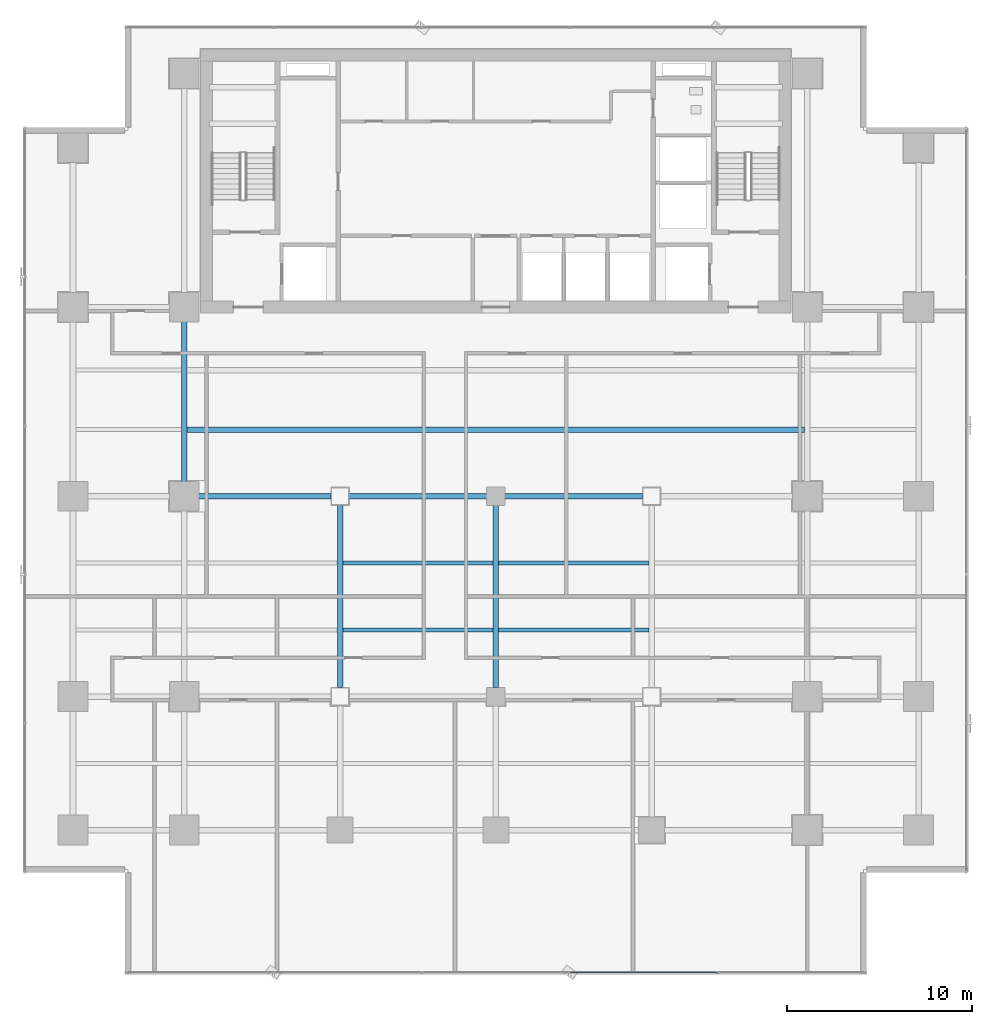
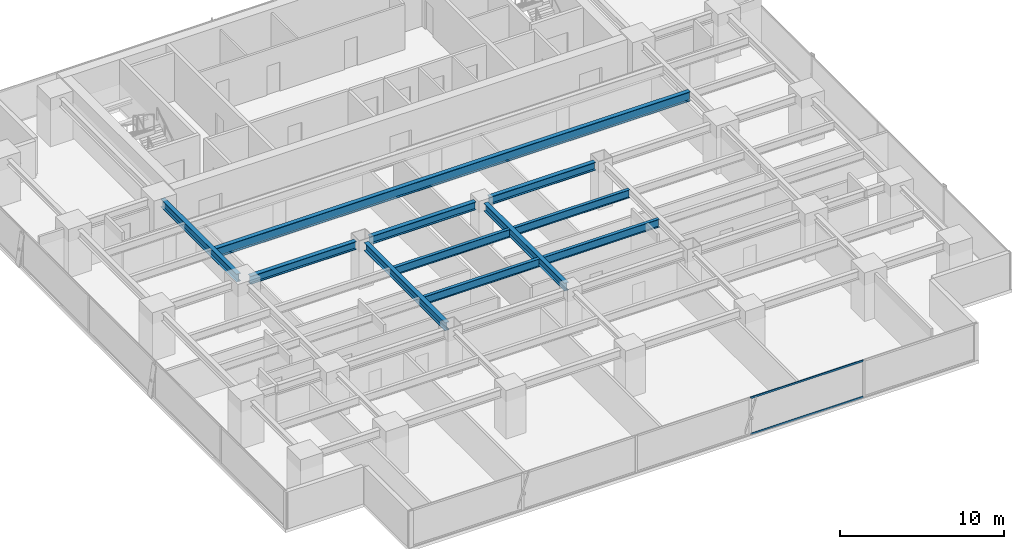
# One storey, part 11 of 34: 11 beams, 2 members, 1 element without a shape of its own.
"""IFC4 building model written with IfcOpenShell, lengths in metres."""

from ifc_helpers import new_model, si_unit, direction, frame, origin, origin_2d, place, context, subcontext, project, spatial, hollow_rectangle, i_section, extrude, source, transform, mapped, material, layer, layer_set, material_profile, profile_set, type_object, element, aggregate, save


model = new_model("IFC4")

# Units and contexts
model_context = context("Model", 3, precision=1e-05, world=origin(), true_north=direction((0.0, 1.0)))
body_context = subcontext(model_context, "Body", "Model", "MODEL_VIEW")
ifc_project = project(units=[si_unit("LENGTHUNIT", "METRE"), si_unit("AREAUNIT", "SQUARE_METRE"), si_unit("VOLUMEUNIT", "CUBIC_METRE"), si_unit("PLANEANGLEUNIT", "RADIAN"), si_unit("MASSUNIT", "GRAM", prefix="KILO")], contexts=[model_context])

# Site, building, storey
site_placement = place(None, origin())
site = spatial("IfcSite", under=ifc_project, at=site_placement, CompositionType="ELEMENT")
building_placement = place(site_placement, origin())
building = spatial("IfcBuilding", under=site, at=building_placement, Name="Sumidabori Civic Tower", CompositionType="ELEMENT")
storey_placement = place(building_placement, frame((0.0, 0.0, 106.39990234375)))
storey = spatial("IfcBuildingStorey", under=building, at=storey_placement, Name="L27", CompositionType="ELEMENT", Elevation=106.39990234375)

# Beams
ifc_material_1 = material(Name="Steel SN490", Category="steel")
ifc_material_profile_1 = material_profile(ifc_material_1, i_section(OverallWidth=0.300048828125, OverallDepth=0.60009765625, WebThickness=0.015380859375, FlangeThickness=0.030029296875, at=origin_2d()), Name="HE 600 B")
ifc_profile_set_1 = profile_set([ifc_material_profile_1], Name="Steel SN490")
beam_type_1 = type_object("IfcBeamType", Name="BM-GIRD-600", PredefinedType="BEAM", material=ifc_profile_set_1)
shared_shape_1 = source(origin(), body_context, "Body", "SweptSolid", [
    extrude(i_section(OverallWidth=0.300048828125, OverallDepth=0.60009765625, WebThickness=0.015380859375, FlangeThickness=0.030029296875, at=origin_2d()), origin(), (0.0, 0.0, 1.0), 7.440185546875),
])
beam_1_placement = place(storey_placement, frame((-16.320068359375, 0.0, 3.06005859375), z_axis=(1.0, 0.0, 0.0), x_axis=(0.0, 1.0, 0.0)))
element("IfcBeam", 1, at=beam_1_placement, inside=storey, type_object=beam_type_1, Name="Primary Girder L27 GX-14", PredefinedType="BEAM", context=body_context, shape_type="MappedRepresentation", body=[
    mapped(shared_shape_1, transform((0.0, 0.0, 0.0), x_axis=(1.0, 0.0, 0.0), y_axis=(0.0, 1.0, 0.0), z_axis=(0.0, 0.0, 1.0), scale=1.0)),
])
shared_shape_2 = source(origin(), body_context, "Body", "SweptSolid", [
    extrude(i_section(OverallWidth=0.300048828125, OverallDepth=0.60009765625, WebThickness=0.015380859375, FlangeThickness=0.030029296875, at=origin_2d()), origin(), (0.0, 0.0, 1.0), 7.43994140625),
])
for number, where, z_axis, x_axis, name in (
    (2, (-7.919921875, 0.0, 3.06005859375), (1.0, 0.0, 0.0), (0.0, 1.0, 0.0), "Primary Girder L27 GX-15"),
    (3, (0.47998046875, 0.0, 3.06005859375), (1.0, 0.0, 0.0), (0.0, 1.0, 0.0), "Primary Girder L27 GX-16"),
):
    element("IfcBeam", number, at=place(storey_placement, frame(where, z_axis=z_axis, x_axis=x_axis)), inside=storey, type_object=beam_type_1, Name=name, PredefinedType="BEAM", context=body_context, shape_type="MappedRepresentation", body=[
        mapped(shared_shape_2, transform((0.0, 0.0, 0.0), x_axis=(1.0, 0.0, 0.0), y_axis=(0.0, 1.0, 0.0), z_axis=(0.0, 0.0, 1.0), scale=1.0)),
    ])
shared_shape_3 = source(origin(), body_context, "Body", "SweptSolid", [
    extrude(i_section(OverallWidth=0.300048828125, OverallDepth=0.60009765625, WebThickness=0.015380859375, FlangeThickness=0.030029296875, at=origin_2d()), origin(), (0.0, 0.0, 1.0), 9.840087890625),
])
for number, where, z_axis, x_axis, name in (
    (4, (-8.39990234375, -10.320068359375, 3.06005859375), (0.0, 1.0, 0.0), (-1.0, 0.0, 0.0), "Primary Girder L27 GY-30"),
    (5, (0.0, -10.320068359375, 3.06005859375), (0.0, 1.0, 0.0), (-1.0, 0.0, 0.0), "Primary Girder L27 GY-32"),
):
    element("IfcBeam", number, at=place(storey_placement, frame(where, z_axis=z_axis, x_axis=x_axis)), inside=storey, type_object=beam_type_1, Name=name, PredefinedType="BEAM", context=body_context, shape_type="MappedRepresentation", body=[
        mapped(shared_shape_3, transform((0.0, 0.0, 0.0), x_axis=(1.0, 0.0, 0.0), y_axis=(0.0, 1.0, 0.0), z_axis=(0.0, 0.0, 1.0), scale=1.0)),
    ])
shared_shape_4 = source(origin(), body_context, "Body", "SweptSolid", [
    extrude(i_section(OverallWidth=0.300048828125, OverallDepth=0.60009765625, WebThickness=0.015380859375, FlangeThickness=0.030029296875, at=origin_2d()), origin(), (0.0, 0.0, 1.0), 9.239990234375),
])
beam_2_placement = place(storey_placement, frame((-16.800048828125, 0.47998046875, 3.06005859375), z_axis=(0.0, 1.0, 0.0), x_axis=(-1.0, 0.0, 0.0)))
element("IfcBeam", 6, at=beam_2_placement, inside=storey, type_object=beam_type_1, Name="Primary Girder L27 GY-27", PredefinedType="BEAM", context=body_context, shape_type="MappedRepresentation", body=[
    mapped(shared_shape_4, transform((0.0, 0.0, 0.0), x_axis=(1.0, 0.0, 0.0), y_axis=(0.0, 1.0, 0.0), z_axis=(0.0, 0.0, 1.0), scale=1.0)),
])
ifc_material_profile_2 = material_profile(ifc_material_1, i_section(OverallWidth=0.300048828125, OverallDepth=0.699951171875, WebThickness=0.01708984375, FlangeThickness=0.031982421875, at=origin_2d()), Name="HE 700 B")
ifc_profile_set_2 = profile_set([ifc_material_profile_2], Name="Steel SN490")
beam_type_2 = type_object("IfcBeamType", Name="BM-GIRD-700", PredefinedType="BEAM", material=ifc_profile_set_2)
shared_shape_5 = source(origin(), body_context, "Body", "SweptSolid", [
    extrude(i_section(OverallWidth=0.300048828125, OverallDepth=0.699951171875, WebThickness=0.01708984375, FlangeThickness=0.031982421875, at=origin_2d()), origin(), (0.0, 0.0, 1.0), 33.2998046875),
])
beam_3_placement = place(storey_placement, frame((-16.64990234375, 3.60009765625, 3.010009765625), z_axis=(1.0, 0.0, 0.0), x_axis=(0.0, 1.0, 0.0)))
element("IfcBeam", 7, at=beam_3_placement, inside=storey, type_object=beam_type_2, Name="North Bay Floor Beam L27 JSTN-53", PredefinedType="BEAM", context=body_context, shape_type="MappedRepresentation", body=[
    mapped(shared_shape_5, transform((0.0, 0.0, 0.0), x_axis=(1.0, 0.0, 0.0), y_axis=(0.0, 1.0, 0.0), z_axis=(0.0, 0.0, 1.0), scale=1.0)),
])
ifc_material_profile_3 = material_profile(ifc_material_1, i_section(OverallWidth=0.219970703125, OverallDepth=0.60009765625, WebThickness=0.011962890625, FlangeThickness=0.01904296875, at=origin_2d()), Name="IPE 600")
ifc_profile_set_3 = profile_set([ifc_material_profile_3], Name="Steel SN490")
beam_type_3 = type_object("IfcBeamType", Name="BM-JST-600", PredefinedType="JOIST", material=ifc_profile_set_3)
shared_shape_6 = source(origin(), body_context, "Body", "SweptSolid", [
    extrude(i_section(OverallWidth=0.219970703125, OverallDepth=0.60009765625, WebThickness=0.011962890625, FlangeThickness=0.01904296875, at=origin_2d()), origin(), (0.0, 0.0, 1.0), 8.10009765625),
])
for number, where, z_axis, x_axis, name in (
    (8, (-8.25, -7.199951171875, 3.06005859375), (1.0, 0.0, 0.0), (0.0, 1.0, 0.0), "South Bay Floor Joist L27 JSTS-60"),
    (9, (0.14990234375, -7.199951171875, 3.06005859375), (1.0, 0.0, 0.0), (0.0, 1.0, 0.0), "South Bay Floor Joist L27 JSTS-61"),
    (10, (-8.25, -3.60009765625, 3.06005859375), (1.0, 0.0, 0.0), (0.0, 1.0, 0.0), "South Bay Floor Joist L27 JSTS-64"),
    (11, (0.14990234375, -3.60009765625, 3.06005859375), (1.0, 0.0, 0.0), (0.0, 1.0, 0.0), "South Bay Floor Joist L27 JSTS-65"),
):
    element("IfcBeam", number, at=place(storey_placement, frame(where, z_axis=z_axis, x_axis=x_axis)), inside=storey, type_object=beam_type_3, Name=name, PredefinedType="JOIST", context=body_context, shape_type="MappedRepresentation", body=[
        mapped(shared_shape_6, transform((0.0, 0.0, 0.0), x_axis=(1.0, 0.0, 0.0), y_axis=(0.0, 1.0, 0.0), z_axis=(0.0, 0.0, 1.0), scale=1.0)),
    ])

# Curtain wall, members
ifc_material_2 = material(Name="Anodised Bronze Aluminium AW-6063-T6", Category="aluminium")
ifc_layer = layer(ifc_material_2, 0.179931640625, Name="Anodised Bronze Aluminium AW-6063-T6")
ifc_layer_set = layer_set([ifc_layer], Name="Anodised Bronze Aluminium AW-6063-T6")
curtain_wall_type = type_object("IfcCurtainWallType", Name="CW-SYS-3", PredefinedType="NOTDEFINED", material=ifc_layer_set)
curtain_wall_placement = place(storey_placement, origin())
curtain_wall = element("IfcCurtainWall", 12, at=curtain_wall_placement, inside=storey, type_object=curtain_wall_type, Name="Curtain Wall CW:L27:R01", PredefinedType="NOTDEFINED")
ifc_material_profile_4 = material_profile(ifc_material_2, hollow_rectangle(XDim=0.06005859375, YDim=0.1298828125, WallThickness=0.0048828125, at=origin_2d()), Name="ALU TRANSOM 130x60")
ifc_profile_set_4 = profile_set([ifc_material_profile_4], Name="Anodised Bronze Aluminium AW-6063-T6")
member_type = type_object("IfcMemberType", Name="CW-TRN-130", PredefinedType="USERDEFINED", material=ifc_profile_set_4)
shared_shape_7 = source(origin(), body_context, "Body", "SweptSolid", [
    extrude(hollow_rectangle(XDim=0.06005859375, YDim=0.1298828125, WallThickness=0.0048828125, at=origin_2d()), origin(), (0.0, 0.0, 1.0), 7.9228515625),
])
member_1_placement = place(storey_placement, frame((4.026611328125, -25.679931640625, 0.030029296875), z_axis=(1.0, 0.0, 0.0), x_axis=(0.0, 1.0, 0.0)))
member_1 = element("IfcMember", 13, at=member_1_placement, type_object=member_type, Name="CW-3 transom 4.1", ObjectType="TRANSOM", PredefinedType="USERDEFINED", context=body_context, shape_type="MappedRepresentation", body=[
    mapped(shared_shape_7, transform((0.0, 0.0, 0.0), x_axis=(1.0, 0.0, 0.0), y_axis=(0.0, 1.0, 0.0), z_axis=(0.0, 0.0, 1.0), scale=1.0)),
])
member_2_placement = place(storey_placement, frame((4.026611328125, -25.679931640625, 2.710205078125), z_axis=(1.0, 0.0, 0.0), x_axis=(0.0, 1.0, 0.0)))
member_2 = element("IfcMember", 14, at=member_2_placement, type_object=member_type, Name="CW-3 transom 4.2", ObjectType="TRANSOM", PredefinedType="USERDEFINED", context=body_context, shape_type="MappedRepresentation", body=[
    mapped(shared_shape_7, transform((0.0, 0.0, 0.0), x_axis=(1.0, 0.0, 0.0), y_axis=(0.0, 1.0, 0.0), z_axis=(0.0, 0.0, 1.0), scale=1.0)),
])
aggregate(curtain_wall, [member_1, member_2])

save(model, "model.ifc")
